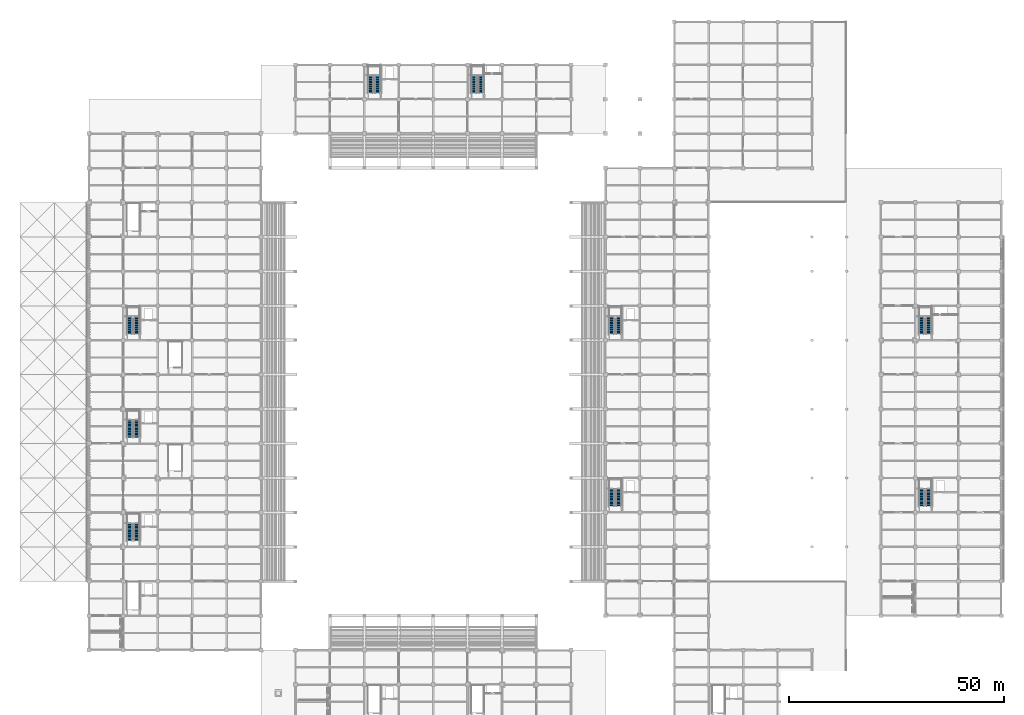
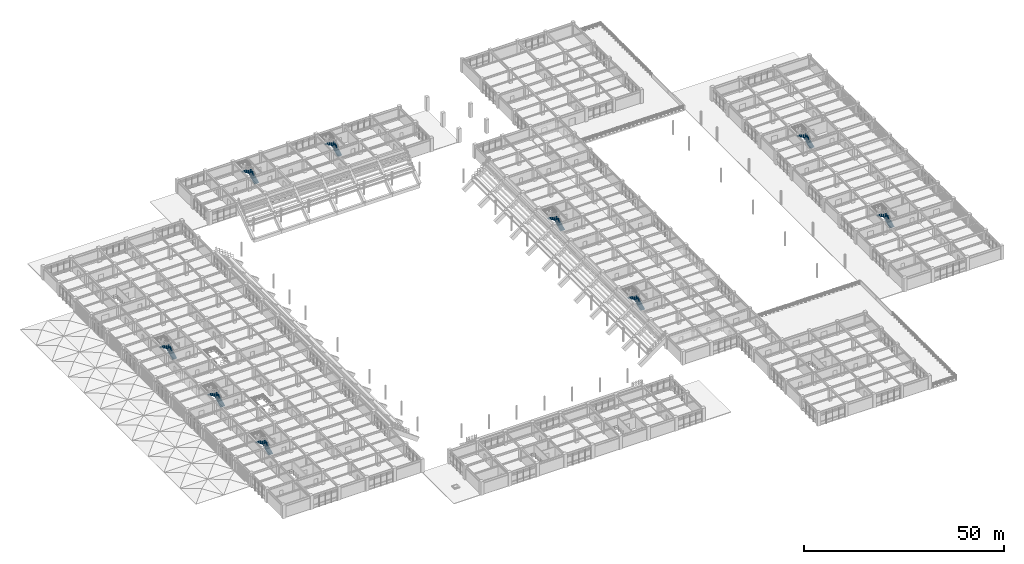
# One storey, part 98 of 118: 18 stair flights, 9 elements without a shape of their own.
"""IFC4 building model written with IfcOpenShell, lengths in metres."""

from ifc_helpers import new_model, si_unit, direction, frame, origin, place, context, subcontext, project, spatial, polyline, outline, extrude, material, type_object, element, aggregate, save


model = new_model("IFC4")

# Units and contexts
model_context = context("Model", 3, precision=1e-05, world=origin(), true_north=direction((0.0, 1.0)))
body_context = subcontext(model_context, "Body", "Model", "MODEL_VIEW")
ifc_project = project(units=[si_unit("LENGTHUNIT", "METRE"), si_unit("AREAUNIT", "SQUARE_METRE"), si_unit("VOLUMEUNIT", "CUBIC_METRE"), si_unit("PLANEANGLEUNIT", "RADIAN"), si_unit("MASSUNIT", "GRAM", prefix="KILO")], contexts=[model_context])

# Site, building, storey
site_placement = place(None, origin())
site = spatial("IfcSite", under=ifc_project, at=site_placement, CompositionType="ELEMENT")
building_placement = place(site_placement, origin())
building = spatial("IfcBuilding", under=site, at=building_placement, Name="Haebicheon Civic Stadium", CompositionType="ELEMENT")
storey_placement = place(building_placement, frame((0.0, 0.0, 14.39990234375)))
storey = spatial("IfcBuildingStorey", under=building, at=storey_placement, Name="L04", CompositionType="ELEMENT", Elevation=14.39990234375)

# Stair, stair flights
ifc_material_1 = material(Name="Concrete C40/50", Category="concrete")
stair_type_1 = type_object("IfcStairType", Name="STR-DL-W126-H42", PredefinedType="HALF_TURN_STAIR", material=ifc_material_1)
stair_1_placement = place(storey_placement, origin())
stair_1 = element("IfcStair", 1, at=stair_1_placement, inside=storey, type_object=stair_type_1, material=ifc_material_1, Name="L04 Escape stair ST-03", PredefinedType="HALF_TURN_STAIR")
ifc_material_2 = material(Name="Concrete C40/50", Category="concrete")
stair_flight_type_1 = type_object("IfcStairFlightType", Name="STF-DL-W126-H42", PredefinedType="STRAIGHT", material=ifc_material_2)
stair_flight_1_placement = place(storey_placement, frame((35.110107421875, 81.449951171875, 0.0), z_axis=(0.0, 0.0, 1.0), x_axis=(0.0, 1.0, 0.0)))
stair_flight_1 = element("IfcStairFlight", 2, at=stair_flight_1_placement, type_object=stair_flight_type_1, material=ifc_material_2, Name="ST-03 flight 1", NumberOfRisers=14, NumberOfTreads=13, PredefinedType="STRAIGHT", RiserHeight=0.15, TreadLength=0.3, context=body_context, shape_type="SweptSolid", body=[
    extrude(outline(polyline([(0.0, 0.0), (0.0, 0.14990234375), (0.300048828125, 0.14990234375), (0.300048828125, 0.300048828125), (0.60009765625, 0.300048828125), (0.60009765625, 0.449951171875), (0.89990234375, 0.449951171875), (0.89990234375, 0.60009765625), (1.199951171875, 0.60009765625), (1.199951171875, 0.75), (1.5, 0.75), (1.5, 0.89990234375), (1.800048828125, 0.89990234375), (1.800048828125, 1.050048828125), (2.10009765625, 1.050048828125), (2.10009765625, 1.199951171875), (2.39990234375, 1.199951171875), (2.39990234375, 1.35009765625), (2.699951171875, 1.35009765625), (2.699951171875, 1.5), (3.0, 1.5), (3.0, 1.64990234375), (3.300048828125, 1.64990234375), (3.300048828125, 1.800048828125), (3.60009765625, 1.800048828125), (3.60009765625, 1.949951171875), (3.89990234375, 1.949951171875), (3.89990234375, 2.10009765625), (3.89990234375, 1.771240234375), (0.357666015625, 0.0), (0.0, 0.0)])), frame((0.0, 0.6298828125, 0.0), z_axis=(0.0, -1.0, 0.0), x_axis=(1.0, 0.0, 0.0)), (0.0, 0.0, 1.0), 1.260009765625),
])
stair_flight_2_placement = place(storey_placement, frame((33.469970703125, 85.35009765625, 2.10009765625), z_axis=(0.0, 0.0, 1.0), x_axis=(0.0, -1.0, 0.0)))
stair_flight_2 = element("IfcStairFlight", 3, at=stair_flight_2_placement, type_object=stair_flight_type_1, material=ifc_material_2, Name="ST-03 flight 2", NumberOfRisers=14, NumberOfTreads=13, PredefinedType="STRAIGHT", RiserHeight=0.15, TreadLength=0.3, context=body_context, shape_type="SweptSolid", body=[
    extrude(outline(polyline([(0.0, 0.0), (0.0, 0.14990234375), (0.300048828125, 0.14990234375), (0.300048828125, 0.300048828125), (0.60009765625, 0.300048828125), (0.60009765625, 0.449951171875), (0.89990234375, 0.449951171875), (0.89990234375, 0.60009765625), (1.199951171875, 0.60009765625), (1.199951171875, 0.75), (1.5, 0.75), (1.5, 0.89990234375), (1.800048828125, 0.89990234375), (1.800048828125, 1.050048828125), (2.10009765625, 1.050048828125), (2.10009765625, 1.199951171875), (2.39990234375, 1.199951171875), (2.39990234375, 1.35009765625), (2.699951171875, 1.35009765625), (2.699951171875, 1.5), (3.0, 1.5), (3.0, 1.64990234375), (3.300048828125, 1.64990234375), (3.300048828125, 1.800048828125), (3.60009765625, 1.800048828125), (3.60009765625, 1.949951171875), (3.89990234375, 1.949951171875), (3.89990234375, 2.10009765625), (3.89990234375, 1.771240234375), (0.357666015625, 0.0), (0.0, 0.0)])), frame((0.0, 0.6298828125, 0.0), z_axis=(0.0, -1.0, 0.0), x_axis=(1.0, 0.0, 0.0)), (0.0, 0.0, 1.0), 1.260009765625),
])
aggregate(stair_1, [stair_flight_1, stair_flight_2])

stair_2_placement = place(storey_placement, origin())
stair_2 = element("IfcStair", 4, at=stair_2_placement, inside=storey, type_object=stair_type_1, material=ifc_material_1, Name="L04 Escape stair ST-09", PredefinedType="HALF_TURN_STAIR")
stair_flight_3_placement = place(storey_placement, frame((115.110107421875, 161.449951171875, 0.0), z_axis=(0.0, 0.0, 1.0), x_axis=(0.0, 1.0, 0.0)))
stair_flight_3 = element("IfcStairFlight", 5, at=stair_flight_3_placement, type_object=stair_flight_type_1, material=ifc_material_2, Name="ST-09 flight 1", NumberOfRisers=14, NumberOfTreads=13, PredefinedType="STRAIGHT", RiserHeight=0.15, TreadLength=0.3, context=body_context, shape_type="SweptSolid", body=[
    extrude(outline(polyline([(0.0, 0.0), (0.0, 0.14990234375), (0.300048828125, 0.14990234375), (0.300048828125, 0.300048828125), (0.60009765625, 0.300048828125), (0.60009765625, 0.449951171875), (0.89990234375, 0.449951171875), (0.89990234375, 0.60009765625), (1.199951171875, 0.60009765625), (1.199951171875, 0.75), (1.5, 0.75), (1.5, 0.89990234375), (1.800048828125, 0.89990234375), (1.800048828125, 1.050048828125), (2.10009765625, 1.050048828125), (2.10009765625, 1.199951171875), (2.39990234375, 1.199951171875), (2.39990234375, 1.35009765625), (2.699951171875, 1.35009765625), (2.699951171875, 1.5), (3.0, 1.5), (3.0, 1.64990234375), (3.300048828125, 1.64990234375), (3.300048828125, 1.800048828125), (3.60009765625, 1.800048828125), (3.60009765625, 1.949951171875), (3.89990234375, 1.949951171875), (3.89990234375, 2.10009765625), (3.89990234375, 1.771240234375), (0.357666015625, 0.0), (0.0, 0.0)])), frame((0.0, 0.6298828125, 0.0), z_axis=(0.0, -1.0, 0.0), x_axis=(1.0, 0.0, 0.0)), (0.0, 0.0, 1.0), 1.260009765625),
])
stair_flight_4_placement = place(storey_placement, frame((113.469970703125, 165.35009765625, 2.10009765625), z_axis=(0.0, 0.0, 1.0), x_axis=(0.0, -1.0, 0.0)))
stair_flight_4 = element("IfcStairFlight", 6, at=stair_flight_4_placement, type_object=stair_flight_type_1, material=ifc_material_2, Name="ST-09 flight 2", NumberOfRisers=14, NumberOfTreads=13, PredefinedType="STRAIGHT", RiserHeight=0.15, TreadLength=0.3, context=body_context, shape_type="SweptSolid", body=[
    extrude(outline(polyline([(0.0, 0.0), (0.0, 0.14990234375), (0.300048828125, 0.14990234375), (0.300048828125, 0.300048828125), (0.60009765625, 0.300048828125), (0.60009765625, 0.449951171875), (0.89990234375, 0.449951171875), (0.89990234375, 0.60009765625), (1.199951171875, 0.60009765625), (1.199951171875, 0.75), (1.5, 0.75), (1.5, 0.89990234375), (1.800048828125, 0.89990234375), (1.800048828125, 1.050048828125), (2.10009765625, 1.050048828125), (2.10009765625, 1.199951171875), (2.39990234375, 1.199951171875), (2.39990234375, 1.35009765625), (2.699951171875, 1.35009765625), (2.699951171875, 1.5), (3.0, 1.5), (3.0, 1.64990234375), (3.300048828125, 1.64990234375), (3.300048828125, 1.800048828125), (3.60009765625, 1.800048828125), (3.60009765625, 1.949951171875), (3.89990234375, 1.949951171875), (3.89990234375, 2.10009765625), (3.89990234375, 1.771240234375), (0.357666015625, 0.0), (0.0, 0.0)])), frame((0.0, 0.6298828125, 0.0), z_axis=(0.0, -1.0, 0.0), x_axis=(1.0, 0.0, 0.0)), (0.0, 0.0, 1.0), 1.260009765625),
])
aggregate(stair_2, [stair_flight_3, stair_flight_4])

stair_3_placement = place(storey_placement, origin())
stair_3 = element("IfcStair", 7, at=stair_3_placement, inside=storey, type_object=stair_type_1, material=ifc_material_1, Name="L04 Escape stair ST-11", PredefinedType="HALF_TURN_STAIR")
stair_flight_5_placement = place(storey_placement, frame((147.110107421875, 105.449951171875, 0.0), z_axis=(0.0, 0.0, 1.0), x_axis=(0.0, 1.0, 0.0)))
stair_flight_5 = element("IfcStairFlight", 8, at=stair_flight_5_placement, type_object=stair_flight_type_1, material=ifc_material_2, Name="ST-11 flight 1", NumberOfRisers=14, NumberOfTreads=13, PredefinedType="STRAIGHT", RiserHeight=0.15, TreadLength=0.3, context=body_context, shape_type="SweptSolid", body=[
    extrude(outline(polyline([(0.0, 0.0), (0.0, 0.14990234375), (0.300048828125, 0.14990234375), (0.300048828125, 0.300048828125), (0.60009765625, 0.300048828125), (0.60009765625, 0.449951171875), (0.89990234375, 0.449951171875), (0.89990234375, 0.60009765625), (1.199951171875, 0.60009765625), (1.199951171875, 0.75), (1.5, 0.75), (1.5, 0.89990234375), (1.800048828125, 0.89990234375), (1.800048828125, 1.050048828125), (2.10009765625, 1.050048828125), (2.10009765625, 1.199951171875), (2.39990234375, 1.199951171875), (2.39990234375, 1.35009765625), (2.699951171875, 1.35009765625), (2.699951171875, 1.5), (3.0, 1.5), (3.0, 1.64990234375), (3.300048828125, 1.64990234375), (3.300048828125, 1.800048828125), (3.60009765625, 1.800048828125), (3.60009765625, 1.949951171875), (3.89990234375, 1.949951171875), (3.89990234375, 2.10009765625), (3.89990234375, 1.771240234375), (0.357666015625, 0.0), (0.0, 0.0)])), frame((0.0, 0.6298828125, 0.0), z_axis=(0.0, -1.0, 0.0), x_axis=(1.0, 0.0, 0.0)), (0.0, 0.0, 1.0), 1.260009765625),
])
stair_flight_6_placement = place(storey_placement, frame((145.469970703125, 109.35009765625, 2.10009765625), z_axis=(0.0, 0.0, 1.0), x_axis=(0.0, -1.0, 0.0)))
stair_flight_6 = element("IfcStairFlight", 9, at=stair_flight_6_placement, type_object=stair_flight_type_1, material=ifc_material_2, Name="ST-11 flight 2", NumberOfRisers=14, NumberOfTreads=13, PredefinedType="STRAIGHT", RiserHeight=0.15, TreadLength=0.3, context=body_context, shape_type="SweptSolid", body=[
    extrude(outline(polyline([(0.0, 0.0), (0.0, 0.14990234375), (0.300048828125, 0.14990234375), (0.300048828125, 0.300048828125), (0.60009765625, 0.300048828125), (0.60009765625, 0.449951171875), (0.89990234375, 0.449951171875), (0.89990234375, 0.60009765625), (1.199951171875, 0.60009765625), (1.199951171875, 0.75), (1.5, 0.75), (1.5, 0.89990234375), (1.800048828125, 0.89990234375), (1.800048828125, 1.050048828125), (2.10009765625, 1.050048828125), (2.10009765625, 1.199951171875), (2.39990234375, 1.199951171875), (2.39990234375, 1.35009765625), (2.699951171875, 1.35009765625), (2.699951171875, 1.5), (3.0, 1.5), (3.0, 1.64990234375), (3.300048828125, 1.64990234375), (3.300048828125, 1.800048828125), (3.60009765625, 1.800048828125), (3.60009765625, 1.949951171875), (3.89990234375, 1.949951171875), (3.89990234375, 2.10009765625), (3.89990234375, 1.771240234375), (0.357666015625, 0.0), (0.0, 0.0)])), frame((0.0, 0.6298828125, 0.0), z_axis=(0.0, -1.0, 0.0), x_axis=(1.0, 0.0, 0.0)), (0.0, 0.0, 1.0), 1.260009765625),
])
aggregate(stair_3, [stair_flight_5, stair_flight_6])

stair_4_placement = place(storey_placement, origin())
stair_4 = element("IfcStair", 10, at=stair_4_placement, inside=storey, type_object=stair_type_1, material=ifc_material_1, Name="L04 Escape stair ST-13", PredefinedType="HALF_TURN_STAIR")
stair_flight_7_placement = place(storey_placement, frame((219.110107421875, 105.449951171875, 0.0), z_axis=(0.0, 0.0, 1.0), x_axis=(0.0, 1.0, 0.0)))
stair_flight_7 = element("IfcStairFlight", 11, at=stair_flight_7_placement, type_object=stair_flight_type_1, material=ifc_material_2, Name="ST-13 flight 1", NumberOfRisers=14, NumberOfTreads=13, PredefinedType="STRAIGHT", RiserHeight=0.15, TreadLength=0.3, context=body_context, shape_type="SweptSolid", body=[
    extrude(outline(polyline([(0.0, 0.0), (0.0, 0.14990234375), (0.300048828125, 0.14990234375), (0.300048828125, 0.300048828125), (0.60009765625, 0.300048828125), (0.60009765625, 0.449951171875), (0.89990234375, 0.449951171875), (0.89990234375, 0.60009765625), (1.199951171875, 0.60009765625), (1.199951171875, 0.75), (1.5, 0.75), (1.5, 0.89990234375), (1.800048828125, 0.89990234375), (1.800048828125, 1.050048828125), (2.10009765625, 1.050048828125), (2.10009765625, 1.199951171875), (2.39990234375, 1.199951171875), (2.39990234375, 1.35009765625), (2.699951171875, 1.35009765625), (2.699951171875, 1.5), (3.0, 1.5), (3.0, 1.64990234375), (3.300048828125, 1.64990234375), (3.300048828125, 1.800048828125), (3.60009765625, 1.800048828125), (3.60009765625, 1.949951171875), (3.89990234375, 1.949951171875), (3.89990234375, 2.10009765625), (3.89990234375, 1.771240234375), (0.357666015625, 0.0), (0.0, 0.0)])), frame((0.0, 0.6298828125, 0.0), z_axis=(0.0, -1.0, 0.0), x_axis=(1.0, 0.0, 0.0)), (0.0, 0.0, 1.0), 1.260009765625),
])
stair_flight_8_placement = place(storey_placement, frame((217.469970703125, 109.35009765625, 2.10009765625), z_axis=(0.0, 0.0, 1.0), x_axis=(0.0, -1.0, 0.0)))
stair_flight_8 = element("IfcStairFlight", 12, at=stair_flight_8_placement, type_object=stair_flight_type_1, material=ifc_material_2, Name="ST-13 flight 2", NumberOfRisers=14, NumberOfTreads=13, PredefinedType="STRAIGHT", RiserHeight=0.15, TreadLength=0.3, context=body_context, shape_type="SweptSolid", body=[
    extrude(outline(polyline([(0.0, 0.0), (0.0, 0.14990234375), (0.300048828125, 0.14990234375), (0.300048828125, 0.300048828125), (0.60009765625, 0.300048828125), (0.60009765625, 0.449951171875), (0.89990234375, 0.449951171875), (0.89990234375, 0.60009765625), (1.199951171875, 0.60009765625), (1.199951171875, 0.75), (1.5, 0.75), (1.5, 0.89990234375), (1.800048828125, 0.89990234375), (1.800048828125, 1.050048828125), (2.10009765625, 1.050048828125), (2.10009765625, 1.199951171875), (2.39990234375, 1.199951171875), (2.39990234375, 1.35009765625), (2.699951171875, 1.35009765625), (2.699951171875, 1.5), (3.0, 1.5), (3.0, 1.64990234375), (3.300048828125, 1.64990234375), (3.300048828125, 1.800048828125), (3.60009765625, 1.800048828125), (3.60009765625, 1.949951171875), (3.89990234375, 1.949951171875), (3.89990234375, 2.10009765625), (3.89990234375, 1.771240234375), (0.357666015625, 0.0), (0.0, 0.0)])), frame((0.0, 0.6298828125, 0.0), z_axis=(0.0, -1.0, 0.0), x_axis=(1.0, 0.0, 0.0)), (0.0, 0.0, 1.0), 1.260009765625),
])
aggregate(stair_4, [stair_flight_7, stair_flight_8])

ifc_material_3 = material(Name="Concrete C40/50", Category="concrete")
stair_type_2 = type_object("IfcStairType", Name="STR-DL-W128-H42", PredefinedType="HALF_TURN_STAIR", material=ifc_material_3)
stair_5_placement = place(storey_placement, origin())
stair_5 = element("IfcStair", 13, at=stair_5_placement, inside=storey, type_object=stair_type_2, material=ifc_material_3, Name="L04 Escape stair ST-02", PredefinedType="HALF_TURN_STAIR")
ifc_material_4 = material(Name="Concrete C40/50", Category="concrete")
stair_flight_type_2 = type_object("IfcStairFlightType", Name="STF-DL-W128-H42", PredefinedType="STRAIGHT", material=ifc_material_4)
stair_flight_9_placement = place(storey_placement, frame((35.10009765625, 57.449951171875, 0.0), z_axis=(0.0, 0.0, 1.0), x_axis=(0.0, 1.0, 0.0)))
stair_flight_9 = element("IfcStairFlight", 14, at=stair_flight_9_placement, type_object=stair_flight_type_2, material=ifc_material_4, Name="ST-02 flight 1", NumberOfRisers=14, NumberOfTreads=13, PredefinedType="STRAIGHT", RiserHeight=0.15, TreadLength=0.3, context=body_context, shape_type="SweptSolid", body=[
    extrude(outline(polyline([(0.0, 0.0), (0.0, 0.14990234375), (0.300048828125, 0.14990234375), (0.300048828125, 0.300048828125), (0.60009765625, 0.300048828125), (0.60009765625, 0.449951171875), (0.89990234375, 0.449951171875), (0.89990234375, 0.60009765625), (1.199951171875, 0.60009765625), (1.199951171875, 0.75), (1.5, 0.75), (1.5, 0.89990234375), (1.800048828125, 0.89990234375), (1.800048828125, 1.050048828125), (2.10009765625, 1.050048828125), (2.10009765625, 1.199951171875), (2.39990234375, 1.199951171875), (2.39990234375, 1.35009765625), (2.699951171875, 1.35009765625), (2.699951171875, 1.5), (3.0, 1.5), (3.0, 1.64990234375), (3.300048828125, 1.64990234375), (3.300048828125, 1.800048828125), (3.60009765625, 1.800048828125), (3.60009765625, 1.949951171875), (3.89990234375, 1.949951171875), (3.89990234375, 2.10009765625), (3.89990234375, 1.771240234375), (0.357666015625, 0.0), (0.0, 0.0)])), frame((0.0, 0.64013671875, 0.0), z_axis=(0.0, -1.0, 0.0), x_axis=(1.0, 0.0, 0.0)), (0.0, 0.0, 1.0), 1.280029296875),
])
stair_flight_10_placement = place(storey_placement, frame((33.47998046875, 61.35009765625, 2.10009765625), z_axis=(0.0, 0.0, 1.0), x_axis=(0.0, -1.0, 0.0)))
stair_flight_10 = element("IfcStairFlight", 15, at=stair_flight_10_placement, type_object=stair_flight_type_2, material=ifc_material_4, Name="ST-02 flight 2", NumberOfRisers=14, NumberOfTreads=13, PredefinedType="STRAIGHT", RiserHeight=0.15, TreadLength=0.3, context=body_context, shape_type="SweptSolid", body=[
    extrude(outline(polyline([(0.0, 0.0), (0.0, 0.14990234375), (0.300048828125, 0.14990234375), (0.300048828125, 0.300048828125), (0.60009765625, 0.300048828125), (0.60009765625, 0.449951171875), (0.89990234375, 0.449951171875), (0.89990234375, 0.60009765625), (1.199951171875, 0.60009765625), (1.199951171875, 0.75), (1.5, 0.75), (1.5, 0.89990234375), (1.800048828125, 0.89990234375), (1.800048828125, 1.050048828125), (2.10009765625, 1.050048828125), (2.10009765625, 1.199951171875), (2.39990234375, 1.199951171875), (2.39990234375, 1.35009765625), (2.699951171875, 1.35009765625), (2.699951171875, 1.5), (3.0, 1.5), (3.0, 1.64990234375), (3.300048828125, 1.64990234375), (3.300048828125, 1.800048828125), (3.60009765625, 1.800048828125), (3.60009765625, 1.949951171875), (3.89990234375, 1.949951171875), (3.89990234375, 2.10009765625), (3.89990234375, 1.771240234375), (0.357666015625, 0.0), (0.0, 0.0)])), frame((0.0, 0.64013671875, 0.0), z_axis=(0.0, -1.0, 0.0), x_axis=(1.0, 0.0, 0.0)), (0.0, 0.0, 1.0), 1.280029296875),
])
aggregate(stair_5, [stair_flight_9, stair_flight_10])

stair_6_placement = place(storey_placement, origin())
stair_6 = element("IfcStair", 16, at=stair_6_placement, inside=storey, type_object=stair_type_2, material=ifc_material_3, Name="L04 Escape stair ST-04", PredefinedType="HALF_TURN_STAIR")
stair_flight_11_placement = place(storey_placement, frame((35.10009765625, 105.449951171875, 0.0), z_axis=(0.0, 0.0, 1.0), x_axis=(0.0, 1.0, 0.0)))
stair_flight_11 = element("IfcStairFlight", 17, at=stair_flight_11_placement, type_object=stair_flight_type_2, material=ifc_material_4, Name="ST-04 flight 1", NumberOfRisers=14, NumberOfTreads=13, PredefinedType="STRAIGHT", RiserHeight=0.15, TreadLength=0.3, context=body_context, shape_type="SweptSolid", body=[
    extrude(outline(polyline([(0.0, 0.0), (0.0, 0.14990234375), (0.300048828125, 0.14990234375), (0.300048828125, 0.300048828125), (0.60009765625, 0.300048828125), (0.60009765625, 0.449951171875), (0.89990234375, 0.449951171875), (0.89990234375, 0.60009765625), (1.199951171875, 0.60009765625), (1.199951171875, 0.75), (1.5, 0.75), (1.5, 0.89990234375), (1.800048828125, 0.89990234375), (1.800048828125, 1.050048828125), (2.10009765625, 1.050048828125), (2.10009765625, 1.199951171875), (2.39990234375, 1.199951171875), (2.39990234375, 1.35009765625), (2.699951171875, 1.35009765625), (2.699951171875, 1.5), (3.0, 1.5), (3.0, 1.64990234375), (3.300048828125, 1.64990234375), (3.300048828125, 1.800048828125), (3.60009765625, 1.800048828125), (3.60009765625, 1.949951171875), (3.89990234375, 1.949951171875), (3.89990234375, 2.10009765625), (3.89990234375, 1.771240234375), (0.357666015625, 0.0), (0.0, 0.0)])), frame((0.0, 0.64013671875, 0.0), z_axis=(0.0, -1.0, 0.0), x_axis=(1.0, 0.0, 0.0)), (0.0, 0.0, 1.0), 1.280029296875),
])
stair_flight_12_placement = place(storey_placement, frame((33.47998046875, 109.35009765625, 2.10009765625), z_axis=(0.0, 0.0, 1.0), x_axis=(0.0, -1.0, 0.0)))
stair_flight_12 = element("IfcStairFlight", 18, at=stair_flight_12_placement, type_object=stair_flight_type_2, material=ifc_material_4, Name="ST-04 flight 2", NumberOfRisers=14, NumberOfTreads=13, PredefinedType="STRAIGHT", RiserHeight=0.15, TreadLength=0.3, context=body_context, shape_type="SweptSolid", body=[
    extrude(outline(polyline([(0.0, 0.0), (0.0, 0.14990234375), (0.300048828125, 0.14990234375), (0.300048828125, 0.300048828125), (0.60009765625, 0.300048828125), (0.60009765625, 0.449951171875), (0.89990234375, 0.449951171875), (0.89990234375, 0.60009765625), (1.199951171875, 0.60009765625), (1.199951171875, 0.75), (1.5, 0.75), (1.5, 0.89990234375), (1.800048828125, 0.89990234375), (1.800048828125, 1.050048828125), (2.10009765625, 1.050048828125), (2.10009765625, 1.199951171875), (2.39990234375, 1.199951171875), (2.39990234375, 1.35009765625), (2.699951171875, 1.35009765625), (2.699951171875, 1.5), (3.0, 1.5), (3.0, 1.64990234375), (3.300048828125, 1.64990234375), (3.300048828125, 1.800048828125), (3.60009765625, 1.800048828125), (3.60009765625, 1.949951171875), (3.89990234375, 1.949951171875), (3.89990234375, 2.10009765625), (3.89990234375, 1.771240234375), (0.357666015625, 0.0), (0.0, 0.0)])), frame((0.0, 0.64013671875, 0.0), z_axis=(0.0, -1.0, 0.0), x_axis=(1.0, 0.0, 0.0)), (0.0, 0.0, 1.0), 1.280029296875),
])
aggregate(stair_6, [stair_flight_11, stair_flight_12])

stair_7_placement = place(storey_placement, origin())
stair_7 = element("IfcStair", 19, at=stair_7_placement, inside=storey, type_object=stair_type_2, material=ifc_material_3, Name="L04 Escape stair ST-08", PredefinedType="HALF_TURN_STAIR")
stair_flight_13_placement = place(storey_placement, frame((91.10009765625, 161.449951171875, 0.0), z_axis=(0.0, 0.0, 1.0), x_axis=(0.0, 1.0, 0.0)))
stair_flight_13 = element("IfcStairFlight", 20, at=stair_flight_13_placement, type_object=stair_flight_type_2, material=ifc_material_4, Name="ST-08 flight 1", NumberOfRisers=14, NumberOfTreads=13, PredefinedType="STRAIGHT", RiserHeight=0.15, TreadLength=0.3, context=body_context, shape_type="SweptSolid", body=[
    extrude(outline(polyline([(0.0, 0.0), (0.0, 0.14990234375), (0.300048828125, 0.14990234375), (0.300048828125, 0.300048828125), (0.60009765625, 0.300048828125), (0.60009765625, 0.449951171875), (0.89990234375, 0.449951171875), (0.89990234375, 0.60009765625), (1.199951171875, 0.60009765625), (1.199951171875, 0.75), (1.5, 0.75), (1.5, 0.89990234375), (1.800048828125, 0.89990234375), (1.800048828125, 1.050048828125), (2.10009765625, 1.050048828125), (2.10009765625, 1.199951171875), (2.39990234375, 1.199951171875), (2.39990234375, 1.35009765625), (2.699951171875, 1.35009765625), (2.699951171875, 1.5), (3.0, 1.5), (3.0, 1.64990234375), (3.300048828125, 1.64990234375), (3.300048828125, 1.800048828125), (3.60009765625, 1.800048828125), (3.60009765625, 1.949951171875), (3.89990234375, 1.949951171875), (3.89990234375, 2.10009765625), (3.89990234375, 1.771240234375), (0.357666015625, 0.0), (0.0, 0.0)])), frame((0.0, 0.64013671875, 0.0), z_axis=(0.0, -1.0, 0.0), x_axis=(1.0, 0.0, 0.0)), (0.0, 0.0, 1.0), 1.280029296875),
])
stair_flight_14_placement = place(storey_placement, frame((89.47998046875, 165.35009765625, 2.10009765625), z_axis=(0.0, 0.0, 1.0), x_axis=(0.0, -1.0, 0.0)))
stair_flight_14 = element("IfcStairFlight", 21, at=stair_flight_14_placement, type_object=stair_flight_type_2, material=ifc_material_4, Name="ST-08 flight 2", NumberOfRisers=14, NumberOfTreads=13, PredefinedType="STRAIGHT", RiserHeight=0.15, TreadLength=0.3, context=body_context, shape_type="SweptSolid", body=[
    extrude(outline(polyline([(0.0, 0.0), (0.0, 0.14990234375), (0.300048828125, 0.14990234375), (0.300048828125, 0.300048828125), (0.60009765625, 0.300048828125), (0.60009765625, 0.449951171875), (0.89990234375, 0.449951171875), (0.89990234375, 0.60009765625), (1.199951171875, 0.60009765625), (1.199951171875, 0.75), (1.5, 0.75), (1.5, 0.89990234375), (1.800048828125, 0.89990234375), (1.800048828125, 1.050048828125), (2.10009765625, 1.050048828125), (2.10009765625, 1.199951171875), (2.39990234375, 1.199951171875), (2.39990234375, 1.35009765625), (2.699951171875, 1.35009765625), (2.699951171875, 1.5), (3.0, 1.5), (3.0, 1.64990234375), (3.300048828125, 1.64990234375), (3.300048828125, 1.800048828125), (3.60009765625, 1.800048828125), (3.60009765625, 1.949951171875), (3.89990234375, 1.949951171875), (3.89990234375, 2.10009765625), (3.89990234375, 1.771240234375), (0.357666015625, 0.0), (0.0, 0.0)])), frame((0.0, 0.64013671875, 0.0), z_axis=(0.0, -1.0, 0.0), x_axis=(1.0, 0.0, 0.0)), (0.0, 0.0, 1.0), 1.280029296875),
])
aggregate(stair_7, [stair_flight_13, stair_flight_14])

stair_8_placement = place(storey_placement, origin())
stair_8 = element("IfcStair", 22, at=stair_8_placement, inside=storey, type_object=stair_type_2, material=ifc_material_3, Name="L04 Escape stair ST-10", PredefinedType="HALF_TURN_STAIR")
stair_flight_15_placement = place(storey_placement, frame((147.10009765625, 65.449951171875, 0.0), z_axis=(0.0, 0.0, 1.0), x_axis=(0.0, 1.0, 0.0)))
stair_flight_15 = element("IfcStairFlight", 23, at=stair_flight_15_placement, type_object=stair_flight_type_2, material=ifc_material_4, Name="ST-10 flight 1", NumberOfRisers=14, NumberOfTreads=13, PredefinedType="STRAIGHT", RiserHeight=0.15, TreadLength=0.3, context=body_context, shape_type="SweptSolid", body=[
    extrude(outline(polyline([(0.0, 0.0), (0.0, 0.14990234375), (0.300048828125, 0.14990234375), (0.300048828125, 0.300048828125), (0.60009765625, 0.300048828125), (0.60009765625, 0.449951171875), (0.89990234375, 0.449951171875), (0.89990234375, 0.60009765625), (1.199951171875, 0.60009765625), (1.199951171875, 0.75), (1.5, 0.75), (1.5, 0.89990234375), (1.800048828125, 0.89990234375), (1.800048828125, 1.050048828125), (2.10009765625, 1.050048828125), (2.10009765625, 1.199951171875), (2.39990234375, 1.199951171875), (2.39990234375, 1.35009765625), (2.699951171875, 1.35009765625), (2.699951171875, 1.5), (3.0, 1.5), (3.0, 1.64990234375), (3.300048828125, 1.64990234375), (3.300048828125, 1.800048828125), (3.60009765625, 1.800048828125), (3.60009765625, 1.949951171875), (3.89990234375, 1.949951171875), (3.89990234375, 2.10009765625), (3.89990234375, 1.771240234375), (0.357666015625, 0.0), (0.0, 0.0)])), frame((0.0, 0.64013671875, 0.0), z_axis=(0.0, -1.0, 0.0), x_axis=(1.0, 0.0, 0.0)), (0.0, 0.0, 1.0), 1.280029296875),
])
stair_flight_16_placement = place(storey_placement, frame((145.47998046875, 69.35009765625, 2.10009765625), z_axis=(0.0, 0.0, 1.0), x_axis=(0.0, -1.0, 0.0)))
stair_flight_16 = element("IfcStairFlight", 24, at=stair_flight_16_placement, type_object=stair_flight_type_2, material=ifc_material_4, Name="ST-10 flight 2", NumberOfRisers=14, NumberOfTreads=13, PredefinedType="STRAIGHT", RiserHeight=0.15, TreadLength=0.3, context=body_context, shape_type="SweptSolid", body=[
    extrude(outline(polyline([(0.0, 0.0), (0.0, 0.14990234375), (0.300048828125, 0.14990234375), (0.300048828125, 0.300048828125), (0.60009765625, 0.300048828125), (0.60009765625, 0.449951171875), (0.89990234375, 0.449951171875), (0.89990234375, 0.60009765625), (1.199951171875, 0.60009765625), (1.199951171875, 0.75), (1.5, 0.75), (1.5, 0.89990234375), (1.800048828125, 0.89990234375), (1.800048828125, 1.050048828125), (2.10009765625, 1.050048828125), (2.10009765625, 1.199951171875), (2.39990234375, 1.199951171875), (2.39990234375, 1.35009765625), (2.699951171875, 1.35009765625), (2.699951171875, 1.5), (3.0, 1.5), (3.0, 1.64990234375), (3.300048828125, 1.64990234375), (3.300048828125, 1.800048828125), (3.60009765625, 1.800048828125), (3.60009765625, 1.949951171875), (3.89990234375, 1.949951171875), (3.89990234375, 2.10009765625), (3.89990234375, 1.771240234375), (0.357666015625, 0.0), (0.0, 0.0)])), frame((0.0, 0.64013671875, 0.0), z_axis=(0.0, -1.0, 0.0), x_axis=(1.0, 0.0, 0.0)), (0.0, 0.0, 1.0), 1.280029296875),
])
aggregate(stair_8, [stair_flight_15, stair_flight_16])

stair_9_placement = place(storey_placement, origin())
stair_9 = element("IfcStair", 25, at=stair_9_placement, inside=storey, type_object=stair_type_2, material=ifc_material_3, Name="L04 Escape stair ST-12", PredefinedType="HALF_TURN_STAIR")
stair_flight_17_placement = place(storey_placement, frame((219.10009765625, 65.449951171875, 0.0), z_axis=(0.0, 0.0, 1.0), x_axis=(0.0, 1.0, 0.0)))
stair_flight_17 = element("IfcStairFlight", 26, at=stair_flight_17_placement, type_object=stair_flight_type_2, material=ifc_material_4, Name="ST-12 flight 1", NumberOfRisers=14, NumberOfTreads=13, PredefinedType="STRAIGHT", RiserHeight=0.15, TreadLength=0.3, context=body_context, shape_type="SweptSolid", body=[
    extrude(outline(polyline([(0.0, 0.0), (0.0, 0.14990234375), (0.300048828125, 0.14990234375), (0.300048828125, 0.300048828125), (0.60009765625, 0.300048828125), (0.60009765625, 0.449951171875), (0.89990234375, 0.449951171875), (0.89990234375, 0.60009765625), (1.199951171875, 0.60009765625), (1.199951171875, 0.75), (1.5, 0.75), (1.5, 0.89990234375), (1.800048828125, 0.89990234375), (1.800048828125, 1.050048828125), (2.10009765625, 1.050048828125), (2.10009765625, 1.199951171875), (2.39990234375, 1.199951171875), (2.39990234375, 1.35009765625), (2.699951171875, 1.35009765625), (2.699951171875, 1.5), (3.0, 1.5), (3.0, 1.64990234375), (3.300048828125, 1.64990234375), (3.300048828125, 1.800048828125), (3.60009765625, 1.800048828125), (3.60009765625, 1.949951171875), (3.89990234375, 1.949951171875), (3.89990234375, 2.10009765625), (3.89990234375, 1.771240234375), (0.357666015625, 0.0), (0.0, 0.0)])), frame((0.0, 0.64013671875, 0.0), z_axis=(0.0, -1.0, 0.0), x_axis=(1.0, 0.0, 0.0)), (0.0, 0.0, 1.0), 1.280029296875),
])
stair_flight_18_placement = place(storey_placement, frame((217.47998046875, 69.35009765625, 2.10009765625), z_axis=(0.0, 0.0, 1.0), x_axis=(0.0, -1.0, 0.0)))
stair_flight_18 = element("IfcStairFlight", 27, at=stair_flight_18_placement, type_object=stair_flight_type_2, material=ifc_material_4, Name="ST-12 flight 2", NumberOfRisers=14, NumberOfTreads=13, PredefinedType="STRAIGHT", RiserHeight=0.15, TreadLength=0.3, context=body_context, shape_type="SweptSolid", body=[
    extrude(outline(polyline([(0.0, 0.0), (0.0, 0.14990234375), (0.300048828125, 0.14990234375), (0.300048828125, 0.300048828125), (0.60009765625, 0.300048828125), (0.60009765625, 0.449951171875), (0.89990234375, 0.449951171875), (0.89990234375, 0.60009765625), (1.199951171875, 0.60009765625), (1.199951171875, 0.75), (1.5, 0.75), (1.5, 0.89990234375), (1.800048828125, 0.89990234375), (1.800048828125, 1.050048828125), (2.10009765625, 1.050048828125), (2.10009765625, 1.199951171875), (2.39990234375, 1.199951171875), (2.39990234375, 1.35009765625), (2.699951171875, 1.35009765625), (2.699951171875, 1.5), (3.0, 1.5), (3.0, 1.64990234375), (3.300048828125, 1.64990234375), (3.300048828125, 1.800048828125), (3.60009765625, 1.800048828125), (3.60009765625, 1.949951171875), (3.89990234375, 1.949951171875), (3.89990234375, 2.10009765625), (3.89990234375, 1.771240234375), (0.357666015625, 0.0), (0.0, 0.0)])), frame((0.0, 0.64013671875, 0.0), z_axis=(0.0, -1.0, 0.0), x_axis=(1.0, 0.0, 0.0)), (0.0, 0.0, 1.0), 1.280029296875),
])
aggregate(stair_9, [stair_flight_17, stair_flight_18])

save(model, "model.ifc")
